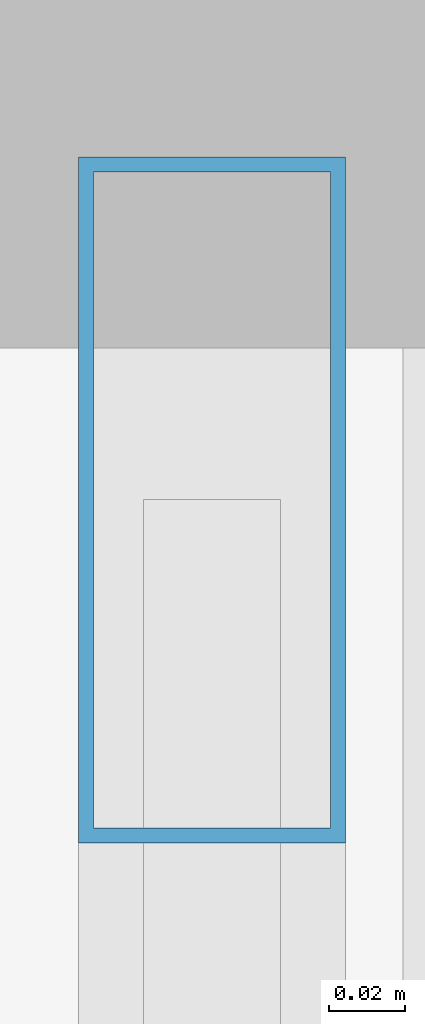
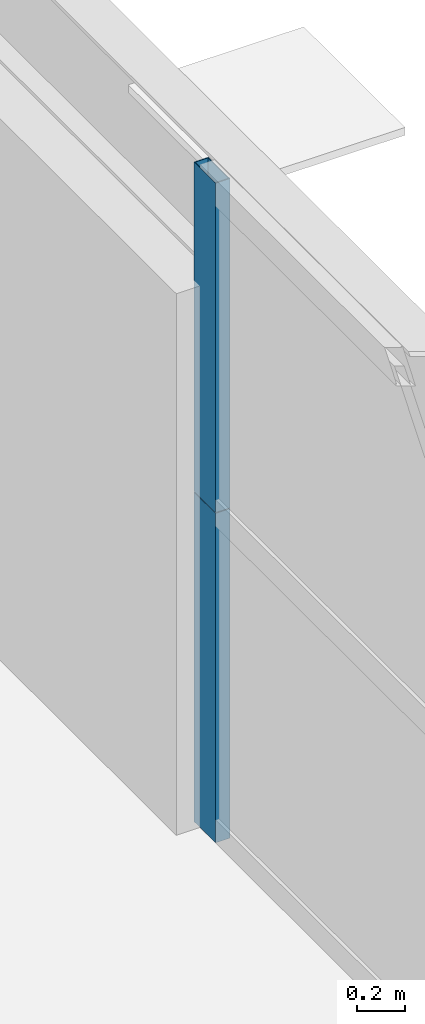
# One storey, part 36 of 46: 2 members, 1 element without a shape of its own.
"""IFC4 building model written with IfcOpenShell, lengths in metres."""

from ifc_helpers import new_model, si_unit, direction, frame, origin, origin_2d, place, context, subcontext, project, spatial, hollow_rectangle, extrude, source, transform, mapped, material, layer, layer_set, material_profile, profile_set, type_object, element, aggregate, save


model = new_model("IFC4")

# Units and contexts
model_context = context("Model", 3, precision=1e-05, world=origin(), true_north=direction((0.0, 1.0)))
body_context = subcontext(model_context, "Body", "Model", "MODEL_VIEW")
ifc_project = project(units=[si_unit("LENGTHUNIT", "METRE"), si_unit("AREAUNIT", "SQUARE_METRE"), si_unit("VOLUMEUNIT", "CUBIC_METRE"), si_unit("PLANEANGLEUNIT", "RADIAN"), si_unit("MASSUNIT", "GRAM", prefix="KILO"), si_unit("THERMODYNAMICTEMPERATUREUNIT", "KELVIN"), si_unit("POWERUNIT", "WATT")], contexts=[model_context])

# Site, building, storey
site_placement = place(None, origin())
site = spatial("IfcSite", under=ifc_project, at=site_placement, CompositionType="ELEMENT")
building_placement = place(site_placement, origin())
building = spatial("IfcBuilding", under=site, at=building_placement, Name="Yuzanri Waterfront Tower", CompositionType="ELEMENT")
storey_placement = place(building_placement, frame((0.0, 0.0, 56.800048828125)))
storey = spatial("IfcBuildingStorey", under=building, at=storey_placement, Name="L14", CompositionType="ELEMENT", Elevation=56.800048828125)

# Curtain wall, members
ifc_material_1 = material(Name="Anodized Architectural Bronze", Category="metal")
ifc_layer = layer(ifc_material_1, 0.159912109375)
ifc_layer_set = layer_set([ifc_layer], Name="Anodized Architectural Bronze")
curtain_wall_type = type_object("IfcCurtainWallType", Name="Anodized Bronze Hotel Lower-Tier Recessed Unitized Curtain Wall 8100", PredefinedType="NOTDEFINED", material=ifc_layer_set)
curtain_wall_placement = place(storey_placement, origin())
curtain_wall = element("IfcCurtainWall", 1, at=curtain_wall_placement, inside=storey, type_object=curtain_wall_type, Name="L14 Curtain Wall CW-L14-ER", PredefinedType="NOTDEFINED")
ifc_material_2 = material(Name="Anodized Architectural Bronze", Category="metal")
ifc_material_profile = material_profile(ifc_material_2, hollow_rectangle(XDim=0.070068359375, YDim=0.179931640625, WallThickness=0.00390625, at=origin_2d()), Name="CWM 70x180")
ifc_profile_set = profile_set([ifc_material_profile], Name="Anodized Architectural Bronze")
member_type = type_object("IfcMemberType", Name="Anodized Bronze Standard Curtain-Wall Mullion 70x180", PredefinedType="MULLION", material=ifc_profile_set)
shared_shape = source(origin(), body_context, "Body", "SweptSolid", [
    extrude(hollow_rectangle(XDim=0.070068359375, YDim=0.179931640625, WallThickness=0.00390625, at=origin_2d()), origin(), (0.0, 0.0, 1.0), 1.68798828125),
])
member_1_placement = place(storey_placement, frame((61.949951171875, 43.510009765625, 0.0), z_axis=(0.0, 0.0, 1.0), x_axis=(1.0, 0.0, 0.0)))
member_1 = element("IfcMember", 2, at=member_1_placement, type_object=member_type, Name="CW-L14-ER Lower Mullion 02", PredefinedType="MULLION", context=body_context, shape_type="MappedRepresentation", body=[
    mapped(shared_shape, transform((0.0, 0.0, 0.0), scale=1.0)),
])
member_2_placement = place(storey_placement, frame((61.949951171875, 43.510009765625, 1.69189453125), z_axis=(0.0, 0.0, 1.0), x_axis=(1.0, 0.0, 0.0)))
member_2 = element("IfcMember", 3, at=member_2_placement, type_object=member_type, Name="CW-L14-ER Upper Mullion 02", PredefinedType="MULLION", context=body_context, shape_type="MappedRepresentation", body=[
    mapped(shared_shape, transform((0.0, 0.0, 0.0), scale=1.0)),
])
aggregate(curtain_wall, [member_1, member_2])

save(model, "model.ifc")
